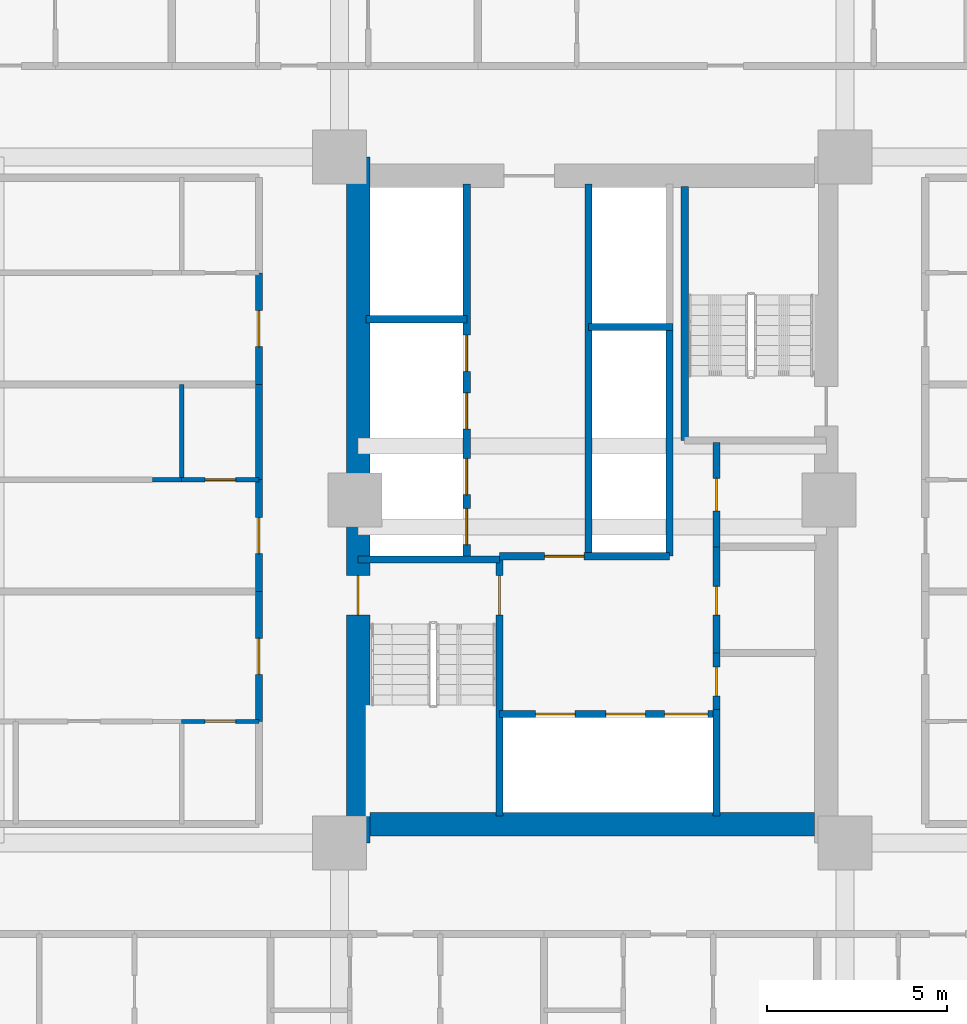
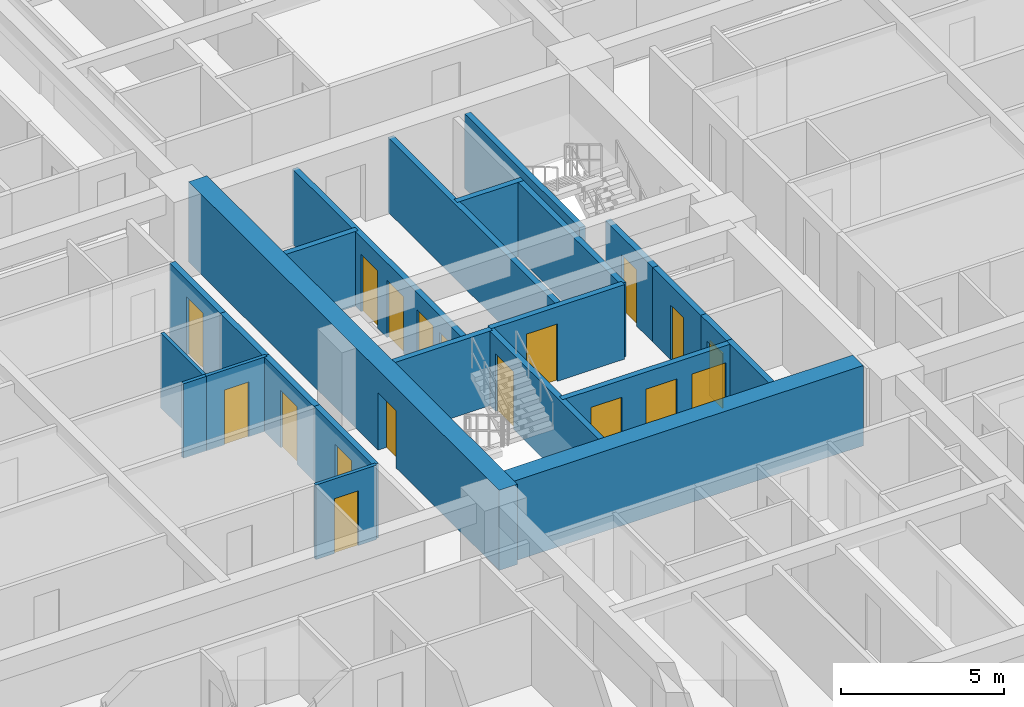
# One storey, part 16 of 28: 24 walls, 18 doors, 18 openings.
"""IFC4 building model written with IfcOpenShell, lengths in metres."""

import ifcopenshell
import ifcopenshell.guid

model = None  # the IFC model being written
_history = None  # IfcOwnerHistory: only IFC2X3 demands one
_inside = {}  # id of a spatial element -> (the spatial element, [elements in it])
_under = {}  # id of a project, library or spatial element -> (it, [spatial elements below it])
_declared = {}  # id of a project -> (the project, [libraries it declares])
_typed = {}  # id of a type object -> (the type object, [elements of that type])
_made_of = {}  # id of a material, layer set ... -> (it, [elements and type objects made of it])


def new_model(schema):
    """Start an empty IFC model of exactly this schema.

    Asked for "IFC4X3", IfcOpenShell would pick the latest addendum, in which some entities
    have other attributes; the version numbers below select the first issue.
    IFC2X3 requires an IfcOwnerHistory on every rooted entity: one is made here for all.
    """
    global model, _history
    if schema == "IFC4X3":
        model = ifcopenshell.file(schema_version=(4, 3, 0, 0))
    else:
        model = ifcopenshell.file(schema=schema)
    _inside.clear()
    _under.clear()
    _declared.clear()
    _typed.clear()
    _made_of.clear()
    _history = None
    if model.schema == "IFC2X3":
        org = make("IfcOrganization", Name="unknown")
        user = make(
            "IfcPersonAndOrganization",
            ThePerson=make("IfcPerson", FamilyName="unknown"),
            TheOrganization=org,
        )
        app = make(
            "IfcApplication",
            ApplicationDeveloper=org,
            Version="unknown",
            ApplicationFullName="unknown",
            ApplicationIdentifier="unknown",
        )
        _history = make(
            "IfcOwnerHistory",
            OwningUser=user,
            OwningApplication=app,
            ChangeAction="ADDED",
            CreationDate=0,
        )
    return model


def make(cls, **values):
    """One entity of the class cls with the attributes given. An attribute that is None is left unset."""
    return model.create_entity(
        cls, **{name: value for name, value in values.items() if value is not None}
    )


def rooted(cls, **values):
    """An entity with a GlobalId (a new one), such as an element, a storey or a relation."""
    return make(cls, GlobalId=ifcopenshell.guid.new(), OwnerHistory=_history, **values)


def si_unit(unit_type, name, prefix=None):
    """IfcSIUnit, for example si_unit("LENGTHUNIT", "METRE", prefix="MILLI")."""
    return make("IfcSIUnit", UnitType=unit_type, Prefix=prefix, Name=name)


def assignment(units):
    """IfcUnitAssignment: the units of a project."""
    return None if units is None else make("IfcUnitAssignment", Units=units)


def point(xyz):
    """IfcCartesianPoint."""
    return None if xyz is None else make("IfcCartesianPoint", Coordinates=xyz)


def direction(xyz):
    """IfcDirection."""
    return None if xyz is None else make("IfcDirection", DirectionRatios=xyz)


def frame(location, z_axis=None, x_axis=None):
    """IfcAxis2Placement3D, a coordinate frame: its origin and axes. An axis left out is left unset."""
    return make(
        "IfcAxis2Placement3D",
        Location=point(location),
        Axis=direction(z_axis),
        RefDirection=direction(x_axis),
    )


def frame_2d(location, x_axis=None):
    """IfcAxis2Placement2D, a coordinate frame in the plane: its origin and x axis."""
    return make(
        "IfcAxis2Placement2D", Location=point(location), RefDirection=direction(x_axis)
    )


def origin():
    """The frame at (0, 0, 0) with its axes left unset."""
    return frame((0.0, 0.0, 0.0))


def place(relative_to, where):
    """IfcLocalPlacement: puts the frame where relative to a parent placement (None: the world)."""
    return make(
        "IfcLocalPlacement", PlacementRelTo=relative_to, RelativePlacement=where
    )


def context(
    kind, dimensions, precision=None, world=None, true_north=None, identifier=None
):
    """IfcGeometricRepresentationContext, for example the 3D "Model" context."""
    return make(
        "IfcGeometricRepresentationContext",
        ContextIdentifier=identifier,
        ContextType=kind,
        CoordinateSpaceDimension=dimensions,
        Precision=precision,
        WorldCoordinateSystem=world,
        TrueNorth=true_north,
    )


def subcontext(parent, identifier, kind, view, scale=None):
    """IfcGeometricRepresentationSubContext, for example "Body" below "Model"."""
    return make(
        "IfcGeometricRepresentationSubContext",
        ContextIdentifier=identifier,
        ContextType=kind,
        ParentContext=parent,
        TargetScale=scale,
        TargetView=view,
    )


def project(units=None, contexts=None):
    """IfcProject with its units and contexts."""
    return rooted(
        "IfcProject",
        Name="project",
        RepresentationContexts=contexts,
        UnitsInContext=assignment(units),
    )


def spatial(cls, under=None, at=None, **own):
    """A site, building, storey or space (cls), placed at a placement, below another one or the project."""
    s = rooted(cls, ObjectPlacement=at, **own)
    if under is not None:
        _under.setdefault(under.id(), (under, []))[1].append(s)
    return s


def profile(cls, at=None, kind="AREA", **sizes):
    """A parametric profile (cls). Its sizes go by their IFC names, for example OverallWidth=200.0."""
    return make(cls, ProfileType=kind, Position=at, **sizes)


def rectangle(**sizes):
    """IfcRectangleProfileDef."""
    return profile("IfcRectangleProfileDef", **sizes)


def extrude(swept, where, along, depth):
    """IfcExtrudedAreaSolid: the profile swept, set in the frame where, extruded along a direction by depth."""
    return make(
        "IfcExtrudedAreaSolid",
        SweptArea=swept,
        Position=where,
        ExtrudedDirection=direction(along),
        Depth=depth,
    )


def shape(context_of_items, identifier, shape_type, items):
    """IfcShapeRepresentation: the items that make up one representation, for example the "Body"."""
    return make(
        "IfcShapeRepresentation",
        ContextOfItems=context_of_items,
        RepresentationIdentifier=identifier,
        RepresentationType=shape_type,
        Items=items,
    )


def source(mapping_origin, context_of_items, identifier, shape_type, items):
    """IfcRepresentationMap: a shape defined once, which mapped items show again and again."""
    return make(
        "IfcRepresentationMap",
        MappingOrigin=mapping_origin,
        MappedRepresentation=shape(context_of_items, identifier, shape_type, items),
    )


def transform(
    local_origin,
    x_axis=None,
    y_axis=None,
    z_axis=None,
    scale=None,
    scale2=None,
    scale3=None,
    uniform=True,
):
    """IfcCartesianTransformationOperator3D, or its non-uniform kind. x_axis, y_axis, z_axis: its Axis1, 2, 3."""
    if uniform:
        return make(
            "IfcCartesianTransformationOperator3D",
            Axis1=direction(x_axis),
            Axis2=direction(y_axis),
            LocalOrigin=point(local_origin),
            Scale=scale,
            Axis3=direction(z_axis),
        )
    return make(
        "IfcCartesianTransformationOperator3DnonUniform",
        Axis1=direction(x_axis),
        Axis2=direction(y_axis),
        LocalOrigin=point(local_origin),
        Scale=scale,
        Axis3=direction(z_axis),
        Scale2=scale2,
        Scale3=scale3,
    )


def mapped(mapping_source, mapping_target):
    """IfcMappedItem: shows the shape of a source again, moved by a transform."""
    return make(
        "IfcMappedItem", MappingSource=mapping_source, MappingTarget=mapping_target
    )


def material(Name=None, Category=None):
    """IfcMaterial."""
    return make("IfcMaterial", Name=Name, Category=Category)


def layer(
    of_material, thickness, ventilated=None, Name=None, Category=None, Priority=None
):
    """IfcMaterialLayer: one layer of a wall or slab, of a material (None: an air gap)."""
    return make(
        "IfcMaterialLayer",
        Material=of_material,
        LayerThickness=thickness,
        IsVentilated=ventilated,
        Name=Name,
        Category=Category,
        Priority=Priority,
    )


def layer_set(layers, Name=None):
    """IfcMaterialLayerSet."""
    return make("IfcMaterialLayerSet", MaterialLayers=layers, LayerSetName=Name)


def made_of(thing, what):
    """Note that an element or type object is made of a material, layer set ...; save() writes the relation."""
    if what is not None:
        _made_of.setdefault(what.id(), (what, []))[1].append(thing)
    return thing


def type_object(cls, material=None, **own):
    """A type object (cls), such as IfcWallType, which elements share."""
    return made_of(rooted(cls, **own), material)


def element(
    cls,
    number,
    at=None,
    inside=None,
    cuts=None,
    type_object=None,
    material=None,
    context=None,
    identifier="Body",
    shape_type=None,
    held_by="IfcProductDefinitionShape",
    body=None,
    shapes=None,
    **own,
):
    """One element of the class cls, such as IfcWall. Its Tag is "e" and its number.

    at: its placement. inside: the storey or other place that contains it. cuts: it is an
    opening in that element (IfcRelVoidsElement). A single representation is given by context,
    identifier, shape_type and body (its items); several are given by shapes. held_by: the class
    of the entity that holds the representations. save() writes the other relations.
    """
    e = rooted(cls, Tag="e%d" % number, ObjectPlacement=at, **own)
    if body is not None:
        shapes = [shape(context, identifier, shape_type, body)]
    if shapes is not None:
        e.Representation = make(held_by, Representations=shapes)
    if inside is not None:
        _inside.setdefault(inside.id(), (inside, []))[1].append(e)
    if cuts is not None:
        rooted(
            "IfcRelVoidsElement", RelatingBuildingElement=cuts, RelatedOpeningElement=e
        )
    if type_object is not None:
        _typed.setdefault(type_object.id(), (type_object, []))[1].append(e)
    return made_of(e, material)


def fill(opening, filler):
    """IfcRelFillsElement: the door or window that sits in an opening."""
    return rooted(
        "IfcRelFillsElement",
        RelatingOpeningElement=opening,
        RelatedBuildingElement=filler,
    )


def aggregate(whole, parts):
    """IfcRelAggregates: a whole, such as a stair, and the parts it consists of."""
    return rooted("IfcRelAggregates", RelatingObject=whole, RelatedObjects=parts)


def save(model, path):
    """Write the relations noted so far, then the file.

    IfcRelAggregates (storeys below a building ...), IfcRelContainedInSpatialStructure (elements
    in a storey), IfcRelDefinesByType, IfcRelAssociatesMaterial and IfcRelDeclares: one each for
    every whole, place, type object, material and project.
    """
    for whole, parts in _under.values():
        aggregate(whole, parts)
    for where, things in _inside.values():
        rooted(
            "IfcRelContainedInSpatialStructure",
            RelatedElements=things,
            RelatingStructure=where,
        )
    for kind, things in _typed.values():
        rooted("IfcRelDefinesByType", RelatedObjects=things, RelatingType=kind)
    for what, things in _made_of.values():
        rooted("IfcRelAssociatesMaterial", RelatedObjects=things, RelatingMaterial=what)
    for by, libraries in _declared.values():
        rooted("IfcRelDeclares", RelatingContext=by, RelatedDefinitions=libraries)
    model.write(path)


model = new_model("IFC4")

# Units and contexts
model_context = context("Model", 3, precision=1e-05, world=origin(), true_north=direction((0.0, 1.0)))
body_context = subcontext(model_context, "Body", "Model", "MODEL_VIEW")
ifc_project = project(units=[si_unit("LENGTHUNIT", "METRE"), si_unit("AREAUNIT", "SQUARE_METRE"), si_unit("VOLUMEUNIT", "CUBIC_METRE"), si_unit("PLANEANGLEUNIT", "RADIAN"), si_unit("MASSUNIT", "GRAM", prefix="KILO")], contexts=[model_context])

# Site, building, storey
site_placement = place(None, origin())
site = spatial("IfcSite", under=ifc_project, at=site_placement, CompositionType="ELEMENT")
building_placement = place(site_placement, origin())
building = spatial("IfcBuilding", under=site, at=building_placement, Name="Saelheon Loggia Tower", CompositionType="ELEMENT")
storey_placement = place(building_placement, frame((0.0, 0.0, 61.39990234375)))
storey = spatial("IfcBuildingStorey", under=building, at=storey_placement, Name="L19", CompositionType="ELEMENT", Elevation=61.39990234375)

# Wall, opening, door
ifc_material_1 = material(Name="Concrete C60/75", Category="concrete")
ifc_layer_1 = layer(ifc_material_1, 0.64990234375)
ifc_layer_set_1 = layer_set([ifc_layer_1], Name="Concrete C60/75")
wall_type_1 = type_object("IfcWallType", Name="Wall_CoreShear_650", PredefinedType="SHEAR", material=ifc_layer_set_1)
wall_1_placement = place(storey_placement, frame((31.5, 17.47998046875, 0.0), z_axis=(0.0, 0.0, 1.0), x_axis=(0.0, 1.0, 0.0)))
wall_1 = element("IfcWall", 1, at=wall_1_placement, inside=storey, type_object=wall_type_1, Name="L19 Core Shear Wall West", PredefinedType="SHEAR", context=body_context, shape_type="SweptSolid", body=[
    extrude(rectangle(XDim=19.0400390625, YDim=0.64990234375, at=frame_2d((9.52001953125, 0.0))), origin(), (0.0, 0.0, 1.0), 3.0),
])
opening_1_placement = place(wall_1_placement, frame((6.320068359375, 0.0, 0.0)))
opening_1 = element("IfcOpeningElement", 2, at=opening_1_placement, cuts=wall_1, Name="Opening D-FD2", PredefinedType="OPENING", context=body_context, shape_type="SweptSolid", body=[
    extrude(rectangle(XDim=1.10009765625, YDim=2.14990234375, at=frame_2d((0.550048828125, 1.074951171875))), frame((0.0, 0.3369140625, 0.0), z_axis=(0.0, -1.0, 0.0), x_axis=(1.0, 0.0, 0.0)), (0.0, 0.0, 1.0), 0.673828125),
])
ifc_material_2 = material(Name="Galvanised Steel Fire Door", Category="steel")
door_type_1 = type_object("IfcDoorType", Name="Door_Fire_FD60_1100", OperationType="NOTDEFINED", PredefinedType="DOOR", material=ifc_material_2)
shared_shape_1 = source(origin(), body_context, "Body", "SweptSolid", [
    extrude(rectangle(XDim=1.10009765625, YDim=2.14990234375, at=frame_2d((0.550048828125, 1.074951171875))), frame((0.0, 0.02490234375, 0.0), z_axis=(0.0, -1.0, 0.0), x_axis=(1.0, 0.0, 0.0)), (0.0, 0.0, 1.0), 0.050048828125),
])
door_1_placement = place(opening_1_placement, origin())
door_1 = element("IfcDoor", 3, at=door_1_placement, inside=storey, type_object=door_type_1, Name="L19 Stair ST1 Corridor Door", OperationType="SINGLE_SWING_LEFT", OverallHeight=2.14990234375, OverallWidth=1.10009765625, PredefinedType="DOOR", context=body_context, shape_type="MappedRepresentation", body=[
    mapped(shared_shape_1, transform((0.0, 0.0, 0.0), scale=1.0)),
])
fill(opening_1, door_1)

# Wall
wall_2_placement = place(storey_placement, frame((31.824951171875, 18.0, 0.0), z_axis=(0.0, 0.0, 1.0), x_axis=(1.0, 0.0, 0.0)))
element("IfcWall", 4, at=wall_2_placement, inside=storey, type_object=wall_type_1, Name="L19 Core Shear Wall South", PredefinedType="SHEAR", context=body_context, shape_type="SweptSolid", body=[
    extrude(rectangle(XDim=12.35009765625, YDim=0.64990234375, at=frame_2d((6.175048828125, 0.0))), origin(), (0.0, 0.0, 1.0), 3.0),
])

# Wall, opening, door
ifc_material_3 = material(Name="Double Acoustic Stud and Fireboard Partition", Category="gypsum")
ifc_layer_2 = layer(ifc_material_3, 0.199951171875)
ifc_layer_set_2 = layer_set([ifc_layer_2], Name="Double Acoustic Stud and Fireboard Partition")
wall_type_2 = type_object("IfcWallType", Name="Wall_Party_200", PredefinedType="PARTITIONING", material=ifc_layer_set_2)
wall_3_placement = place(storey_placement, frame((28.75, 20.85009765625, 0.0), z_axis=(0.0, 0.0, 1.0), x_axis=(0.0, 1.0, 0.0)))
wall_3 = element("IfcWall", 5, at=wall_3_placement, inside=storey, type_object=wall_type_2, Name="L19 W Partition V04", PredefinedType="PARTITIONING", context=body_context, shape_type="SweptSolid", body=[
    extrude(rectangle(XDim=3.61181640625, YDim=0.199951171875, at=frame_2d((1.805908203125, 0.0))), origin(), (0.0, 0.0, 1.0), 2.7900390625),
])
opening_2_placement = place(wall_3_placement, frame((1.305908203125, 0.0, 0.0)))
opening_2 = element("IfcOpeningElement", 6, at=opening_2_placement, cuts=wall_3, Name="Opening D-FD1", PredefinedType="OPENING", context=body_context, shape_type="SweptSolid", body=[
    extrude(rectangle(XDim=1.0, YDim=2.14990234375, at=frame_2d((0.5, 1.074951171875))), frame((0.0, 0.112060546875, 0.0), z_axis=(0.0, -1.0, 0.0), x_axis=(1.0, 0.0, 0.0)), (0.0, 0.0, 1.0), 0.223876953125),
])
ifc_material_4 = material(Name="Fire-Rated Engineered Timber Entrance Door", Category="wood")
door_type_2 = type_object("IfcDoorType", Name="Door_Flat_FD30S", OperationType="NOTDEFINED", PredefinedType="DOOR", material=ifc_material_4)
shared_shape_2 = source(origin(), body_context, "Body", "SweptSolid", [
    extrude(rectangle(XDim=1.0, YDim=2.14990234375, at=frame_2d((0.5, 1.074951171875))), frame((0.0, 0.02490234375, 0.0), z_axis=(0.0, -1.0, 0.0), x_axis=(1.0, 0.0, 0.0)), (0.0, 0.0, 1.0), 0.050048828125),
])
door_2_placement = place(opening_2_placement, origin())
door_2 = element("IfcDoor", 7, at=door_2_placement, inside=storey, type_object=door_type_2, Name="Unit U10 Entrance Door", OperationType="SINGLE_SWING_LEFT", OverallHeight=2.14990234375, OverallWidth=1.0, PredefinedType="DOOR", context=body_context, shape_type="MappedRepresentation", body=[
    mapped(shared_shape_2, transform((0.0, 0.0, 0.0), scale=1.0)),
])
fill(opening_2, door_2)

wall_4_placement = place(storey_placement, frame((28.75, 24.4619140625, 0.0), z_axis=(0.0, 0.0, 1.0), x_axis=(0.0, 1.0, 0.0)))
wall_4 = element("IfcWall", 8, at=wall_4_placement, inside=storey, type_object=wall_type_2, Name="L19 W Partition V12", PredefinedType="PARTITIONING", context=body_context, shape_type="SweptSolid", body=[
    extrude(rectangle(XDim=3.101806640625, YDim=0.199951171875, at=frame_2d((1.55078125, 0.0))), origin(), (0.0, 0.0, 1.0), 2.7900390625),
])
opening_3_placement = place(wall_4_placement, frame((1.05078125, 0.0, 0.0)))
opening_3 = element("IfcOpeningElement", 9, at=opening_3_placement, cuts=wall_4, Name="Opening D-FD1", PredefinedType="OPENING", context=body_context, shape_type="SweptSolid", body=[
    extrude(rectangle(XDim=1.0, YDim=2.14990234375, at=frame_2d((0.5, 1.074951171875))), frame((0.0, 0.112060546875, 0.0), z_axis=(0.0, -1.0, 0.0), x_axis=(1.0, 0.0, 0.0)), (0.0, 0.0, 1.0), 0.223876953125),
])
door_3_placement = place(opening_3_placement, origin())
door_3 = element("IfcDoor", 10, at=door_3_placement, inside=storey, type_object=door_type_2, Name="Unit U11 Entrance Door", OperationType="SINGLE_SWING_LEFT", OverallHeight=2.14990234375, OverallWidth=1.0, PredefinedType="DOOR", context=body_context, shape_type="MappedRepresentation", body=[
    mapped(shared_shape_2, transform((0.0, 0.0, 0.0), scale=1.0)),
])
fill(opening_3, door_3)

# Wall
wall_5_placement = place(storey_placement, frame((28.75, 27.563720703125, 0.0), z_axis=(0.0, 0.0, 1.0), x_axis=(0.0, 1.0, 0.0)))
element("IfcWall", 11, at=wall_5_placement, inside=storey, type_object=wall_type_2, Name="L19 W Partition V13", PredefinedType="PARTITIONING", context=body_context, shape_type="SweptSolid", body=[
    extrude(rectangle(XDim=2.642333984375, YDim=0.199951171875, at=frame_2d((1.3212890625, 0.0))), origin(), (0.0, 0.0, 1.0), 2.7900390625),
])

# Wall, opening, door
wall_6_placement = place(storey_placement, frame((28.75, 30.2060546875, 0.0), z_axis=(0.0, 0.0, 1.0), x_axis=(0.0, 1.0, 0.0)))
wall_6 = element("IfcWall", 12, at=wall_6_placement, inside=storey, type_object=wall_type_2, Name="L19 W Partition V19", PredefinedType="PARTITIONING", context=body_context, shape_type="SweptSolid", body=[
    extrude(rectangle(XDim=3.101806640625, YDim=0.199951171875, at=frame_2d((1.55078125, 0.0))), origin(), (0.0, 0.0, 1.0), 2.7900390625),
])
opening_4_placement = place(wall_6_placement, frame((1.05078125, 0.0, 0.0)))
opening_4 = element("IfcOpeningElement", 13, at=opening_4_placement, cuts=wall_6, Name="Opening D-FD1", PredefinedType="OPENING", context=body_context, shape_type="SweptSolid", body=[
    extrude(rectangle(XDim=1.0, YDim=2.14990234375, at=frame_2d((0.5, 1.074951171875))), frame((0.0, 0.112060546875, 0.0), z_axis=(0.0, -1.0, 0.0), x_axis=(1.0, 0.0, 0.0)), (0.0, 0.0, 1.0), 0.223876953125),
])
door_4_placement = place(opening_4_placement, origin())
door_4 = element("IfcDoor", 14, at=door_4_placement, inside=storey, type_object=door_type_2, Name="Unit U12 Entrance Door", OperationType="SINGLE_SWING_RIGHT", OverallHeight=2.14990234375, OverallWidth=1.0, PredefinedType="DOOR", context=body_context, shape_type="MappedRepresentation", body=[
    mapped(shared_shape_2, transform((0.0, 0.0, 0.0), scale=1.0)),
])
fill(opening_4, door_4)

# Wall
ifc_material_5 = material(Name="Concrete C40/50", Category="concrete")
ifc_layer_3 = layer(ifc_material_5, 0.199951171875)
ifc_layer_set_3 = layer_set([ifc_layer_3], Name="Concrete C40/50")
wall_type_3 = type_object("IfcWallType", Name="Wall_Shaft_200", PredefinedType="PARTITIONING", material=ifc_layer_set_3)
wall_7_placement = place(storey_placement, frame((41.449951171875, 18.219970703125, 0.0), z_axis=(0.0, 0.0, 1.0), x_axis=(0.0, 1.0, 0.0)))
element("IfcWall", 15, at=wall_7_placement, inside=storey, type_object=wall_type_3, Name="CW-INT-L19-BOH-W0", PredefinedType="PARTITIONING", context=body_context, shape_type="SweptSolid", body=[
    extrude(rectangle(XDim=2.9599609375, YDim=0.199951171875, at=frame_2d((1.47998046875, 0.0))), origin(), (0.0, 0.0, 1.0), 2.7900390625),
])

# Wall, opening, door
wall_8_placement = place(storey_placement, frame((41.449951171875, 21.179931640625, 0.0), z_axis=(0.0, 0.0, 1.0), x_axis=(0.0, 1.0, 0.0)))
wall_8 = element("IfcWall", 16, at=wall_8_placement, inside=storey, type_object=wall_type_3, Name="CW-INT-L19-BOH-W1", PredefinedType="PARTITIONING", context=body_context, shape_type="SweptSolid", body=[
    extrude(rectangle(XDim=1.570068359375, YDim=0.199951171875, at=frame_2d((0.78515625, 0.0))), origin(), (0.0, 0.0, 1.0), 2.7900390625),
])
opening_5_placement = place(wall_8_placement, frame((0.3798828125, 0.0, 0.0)))
opening_5 = element("IfcOpeningElement", 17, at=opening_5_placement, cuts=wall_8, Name="Opening D-ST1", PredefinedType="OPENING", context=body_context, shape_type="SweptSolid", body=[
    extrude(rectangle(XDim=0.800048828125, YDim=2.050048828125, at=frame_2d((0.39990234375, 1.02490234375))), frame((0.0, 0.112060546875, 0.0), z_axis=(0.0, -1.0, 0.0), x_axis=(1.0, 0.0, 0.0)), (0.0, 0.0, 1.0), 0.223876953125),
])
ifc_material_6 = material(Name="Powder-Coated Steel Store Door", Category="steel")
door_type_3 = type_object("IfcDoorType", Name="Door_Store_800", OperationType="NOTDEFINED", PredefinedType="DOOR", material=ifc_material_6)
shared_shape_3 = source(origin(), body_context, "Body", "SweptSolid", [
    extrude(rectangle(XDim=0.800048828125, YDim=2.050048828125, at=frame_2d((0.39990234375, 1.02490234375))), frame((0.0, 0.02490234375, 0.0), z_axis=(0.0, -1.0, 0.0), x_axis=(1.0, 0.0, 0.0)), (0.0, 0.0, 1.0), 0.050048828125),
])
door_5_placement = place(opening_5_placement, origin())
door_5 = element("IfcDoor", 18, at=door_5_placement, inside=storey, type_object=door_type_3, Name="L19 Cleaner Store Door", OperationType="SINGLE_SWING_RIGHT", OverallHeight=2.050048828125, OverallWidth=0.800048828125, PredefinedType="DOOR", context=body_context, shape_type="MappedRepresentation", body=[
    mapped(shared_shape_3, transform((0.0, 0.0, 0.0), scale=1.0)),
])
fill(opening_5, door_5)

wall_9_placement = place(storey_placement, frame((41.449951171875, 22.75, 0.0), z_axis=(0.0, 0.0, 1.0), x_axis=(0.0, 1.0, 0.0)))
wall_9 = element("IfcWall", 19, at=wall_9_placement, inside=storey, type_object=wall_type_3, Name="CW-INT-L19-BOH-W2", PredefinedType="PARTITIONING", context=body_context, shape_type="SweptSolid", body=[
    extrude(rectangle(XDim=2.949951171875, YDim=0.199951171875, at=frame_2d((1.47509765625, 0.0))), origin(), (0.0, 0.0, 1.0), 2.7900390625),
])
opening_6_placement = place(wall_9_placement, frame((1.050048828125, 0.0, 0.0)))
opening_6 = element("IfcOpeningElement", 20, at=opening_6_placement, cuts=wall_9, Name="Opening D-ST1", PredefinedType="OPENING", context=body_context, shape_type="SweptSolid", body=[
    extrude(rectangle(XDim=0.800048828125, YDim=2.050048828125, at=frame_2d((0.39990234375, 1.02490234375))), frame((0.0, 0.112060546875, 0.0), z_axis=(0.0, -1.0, 0.0), x_axis=(1.0, 0.0, 0.0)), (0.0, 0.0, 1.0), 0.223876953125),
])
door_6_placement = place(opening_6_placement, origin())
door_6 = element("IfcDoor", 21, at=door_6_placement, inside=storey, type_object=door_type_3, Name="L19 Electrical Riser Door", OperationType="SINGLE_SWING_LEFT", OverallHeight=2.050048828125, OverallWidth=0.800048828125, PredefinedType="DOOR", context=body_context, shape_type="MappedRepresentation", body=[
    mapped(shared_shape_3, transform((0.0, 0.0, 0.0), scale=1.0)),
])
fill(opening_6, door_6)

wall_10_placement = place(storey_placement, frame((41.449951171875, 25.699951171875, 0.0), z_axis=(0.0, 0.0, 1.0), x_axis=(0.0, 1.0, 0.0)))
wall_10 = element("IfcWall", 22, at=wall_10_placement, inside=storey, type_object=wall_type_3, Name="CW-INT-L19-BOH-W3", PredefinedType="PARTITIONING", context=body_context, shape_type="SweptSolid", body=[
    extrude(rectangle(XDim=2.900146484375, YDim=0.199951171875, at=frame_2d((1.4501953125, 0.0))), origin(), (0.0, 0.0, 1.0), 2.7900390625),
])
opening_7_placement = place(wall_10_placement, frame((1.0, 0.0, 0.0)))
opening_7 = element("IfcOpeningElement", 23, at=opening_7_placement, cuts=wall_10, Name="Opening D-RS1", PredefinedType="OPENING", context=body_context, shape_type="SweptSolid", body=[
    extrude(rectangle(XDim=0.89990234375, YDim=2.10009765625, at=frame_2d((0.449951171875, 1.050048828125))), frame((0.0, 0.112060546875, 0.0), z_axis=(0.0, -1.0, 0.0), x_axis=(1.0, 0.0, 0.0)), (0.0, 0.0, 1.0), 0.223876953125),
])
ifc_material_7 = material(Name="Galvanised Steel Riser Access Door", Category="steel")
door_type_4 = type_object("IfcDoorType", Name="Door_Riser_FD60", OperationType="NOTDEFINED", PredefinedType="DOOR", material=ifc_material_7)
shared_shape_4 = source(origin(), body_context, "Body", "SweptSolid", [
    extrude(rectangle(XDim=0.89990234375, YDim=2.10009765625, at=frame_2d((0.449951171875, 1.050048828125))), frame((0.0, 0.02490234375, 0.0), z_axis=(0.0, -1.0, 0.0), x_axis=(1.0, 0.0, 0.0)), (0.0, 0.0, 1.0), 0.050048828125),
])
door_7_placement = place(opening_7_placement, origin())
door_7 = element("IfcDoor", 24, at=door_7_placement, inside=storey, type_object=door_type_4, Name="L19 Floor IT Room Door", OperationType="SINGLE_SWING_RIGHT", OverallHeight=2.10009765625, OverallWidth=0.89990234375, PredefinedType="DOOR", context=body_context, shape_type="MappedRepresentation", body=[
    mapped(shared_shape_4, transform((0.0, 0.0, 0.0), scale=1.0)),
])
fill(opening_7, door_7)

# Wall
wall_11_placement = place(storey_placement, frame((40.14990234375, 25.43994140625, 0.0), z_axis=(0.0, 0.0, 1.0), x_axis=(0.0, 1.0, 0.0)))
element("IfcWall", 25, at=wall_11_placement, inside=storey, type_object=wall_type_3, Name="L19 Core Service Passage West Wall", PredefinedType="PARTITIONING", context=body_context, shape_type="SweptSolid", body=[
    extrude(rectangle(XDim=6.360107421875, YDim=0.199951171875, at=frame_2d((3.18017578125, 0.0))), origin(), (0.0, 0.0, 1.0), 2.7900390625),
])

# Wall, openings, doors
wall_12_placement = place(storey_placement, frame((35.429931640625, 21.06005859375, 0.0), z_axis=(0.0, 0.0, 1.0), x_axis=(1.0, 0.0, 0.0)))
wall_12 = element("IfcWall", 26, at=wall_12_placement, inside=storey, type_object=wall_type_3, Name="L19 Firefighting Lift Shaft Front Wall", PredefinedType="PARTITIONING", context=body_context, shape_type="SweptSolid", body=[
    extrude(rectangle(XDim=6.02001953125, YDim=0.199951171875, at=frame_2d((3.010009765625, 0.0))), origin(), (0.0, 0.0, 1.0), 2.7900390625),
])
opening_8_placement = place(wall_12_placement, frame((1.0, 0.0, 0.0)))
opening_8 = element("IfcOpeningElement", 27, at=opening_8_placement, cuts=wall_12, Name="Opening LD2", PredefinedType="OPENING", context=body_context, shape_type="SweptSolid", body=[
    extrude(rectangle(XDim=1.10009765625, YDim=2.14990234375, at=frame_2d((0.550048828125, 1.074951171875))), frame((0.0, 0.112060546875, 0.0), z_axis=(0.0, -1.0, 0.0), x_axis=(1.0, 0.0, 0.0)), (0.0, 0.0, 1.0), 0.223876953125),
])
opening_9_placement = place(wall_12_placement, frame((2.949951171875, 0.0, 0.0)))
opening_9 = element("IfcOpeningElement", 28, at=opening_9_placement, cuts=wall_12, Name="Opening LD2", PredefinedType="OPENING", context=body_context, shape_type="SweptSolid", body=[
    extrude(rectangle(XDim=1.10009765625, YDim=2.14990234375, at=frame_2d((0.550048828125, 1.074951171875))), frame((0.0, 0.112060546875, 0.0), z_axis=(0.0, -1.0, 0.0), x_axis=(1.0, 0.0, 0.0)), (0.0, 0.0, 1.0), 0.223876953125),
])
opening_10_placement = place(wall_12_placement, frame((4.580078125, 0.0, 0.0)))
opening_10 = element("IfcOpeningElement", 29, at=opening_10_placement, cuts=wall_12, Name="Opening LD3", PredefinedType="OPENING", context=body_context, shape_type="SweptSolid", body=[
    extrude(rectangle(XDim=1.199951171875, YDim=2.14990234375, at=frame_2d((0.60009765625, 1.074951171875))), frame((0.0, 0.112060546875, 0.0), z_axis=(0.0, -1.0, 0.0), x_axis=(1.0, 0.0, 0.0)), (0.0, 0.0, 1.0), 0.223876953125),
])
ifc_material_8 = material(Name="Firefighting Stainless Steel 316 Landing Door", Category="steel")
door_type_5 = type_object("IfcDoorType", Name="Door_Lift_LD2", OperationType="DOUBLE_DOOR_SLIDING", PredefinedType="DOOR", material=ifc_material_8)
door_8_placement = place(opening_8_placement, origin())
door_8 = element("IfcDoor", 30, at=door_8_placement, inside=storey, type_object=door_type_5, Name="L19 FF1 Landing Door", OperationType="DOUBLE_DOOR_SLIDING", OverallHeight=2.14990234375, OverallWidth=1.10009765625, PredefinedType="DOOR", context=body_context, shape_type="MappedRepresentation", body=[
    mapped(shared_shape_1, transform((0.0, 0.0, 0.0), scale=1.0)),
])
fill(opening_8, door_8)
door_9_placement = place(opening_9_placement, origin())
door_9 = element("IfcDoor", 31, at=door_9_placement, inside=storey, type_object=door_type_5, Name="L19 FF2 Landing Door", OperationType="DOUBLE_DOOR_SLIDING", OverallHeight=2.14990234375, OverallWidth=1.10009765625, PredefinedType="DOOR", context=body_context, shape_type="MappedRepresentation", body=[
    mapped(shared_shape_1, transform((0.0, 0.0, 0.0), scale=1.0)),
])
fill(opening_9, door_9)
ifc_material_9 = material(Name="Stretcher Lift Stainless Steel 304 Landing Door", Category="steel")
door_type_6 = type_object("IfcDoorType", Name="Door_Lift_LD3", OperationType="DOUBLE_DOOR_SLIDING", PredefinedType="DOOR", material=ifc_material_9)
shared_shape_5 = source(origin(), body_context, "Body", "SweptSolid", [
    extrude(rectangle(XDim=1.199951171875, YDim=2.14990234375, at=frame_2d((0.60009765625, 1.074951171875))), frame((0.0, 0.02490234375, 0.0), z_axis=(0.0, -1.0, 0.0), x_axis=(1.0, 0.0, 0.0)), (0.0, 0.0, 1.0), 0.050048828125),
])
door_10_placement = place(opening_10_placement, origin())
door_10 = element("IfcDoor", 32, at=door_10_placement, inside=storey, type_object=door_type_6, Name="L19 SV1 Landing Door", OperationType="DOUBLE_DOOR_SLIDING", OverallHeight=2.14990234375, OverallWidth=1.199951171875, PredefinedType="DOOR", context=body_context, shape_type="MappedRepresentation", body=[
    mapped(shared_shape_5, transform((0.0, 0.0, 0.0), scale=1.0)),
])
fill(opening_10, door_10)

# Wall, opening, door
wall_13_placement = place(storey_placement, frame((35.429931640625, 25.43994140625, 0.0), z_axis=(0.0, 0.0, 1.0), x_axis=(1.0, 0.0, 0.0)))
wall_13 = element("IfcWall", 33, at=wall_13_placement, inside=storey, type_object=wall_type_3, Name="L19 Firefighting Lobby Compartment Wall", PredefinedType="PARTITIONING", context=body_context, shape_type="SweptSolid", body=[
    extrude(rectangle(XDim=4.719970703125, YDim=0.199951171875, at=frame_2d((2.35986328125, 0.0))), origin(), (0.0, 0.0, 1.0), 2.7900390625),
])
opening_11_placement = place(wall_13_placement, frame((1.25, 0.0, 0.0)))
opening_11 = element("IfcOpeningElement", 34, at=opening_11_placement, cuts=wall_13, Name="Opening D-FD2", PredefinedType="OPENING", context=body_context, shape_type="SweptSolid", body=[
    extrude(rectangle(XDim=1.10009765625, YDim=2.14990234375, at=frame_2d((0.550048828125, 1.074951171875))), frame((0.0, 0.112060546875, 0.0), z_axis=(0.0, -1.0, 0.0), x_axis=(1.0, 0.0, 0.0)), (0.0, 0.0, 1.0), 0.223876953125),
])
door_11_placement = place(opening_11_placement, origin())
door_11 = element("IfcDoor", 35, at=door_11_placement, inside=storey, type_object=door_type_1, Name="L19 Firefighting Lobby Door", OperationType="SINGLE_SWING_LEFT", OverallHeight=2.14990234375, OverallWidth=1.10009765625, PredefinedType="DOOR", context=body_context, shape_type="MappedRepresentation", body=[
    mapped(shared_shape_1, transform((0.0, 0.0, 0.0), scale=1.0)),
])
fill(opening_11, door_11)

# Wall, openings, doors
wall_14_placement = place(storey_placement, frame((34.52001953125, 25.43994140625, 0.0), z_axis=(0.0, 0.0, 1.0), x_axis=(0.0, 1.0, 0.0)))
wall_14 = element("IfcWall", 36, at=wall_14_placement, inside=storey, type_object=wall_type_3, Name="L19 West Passenger Lift Bank Wall", PredefinedType="PARTITIONING", context=body_context, shape_type="SweptSolid", body=[
    extrude(rectangle(XDim=10.340087890625, YDim=0.199951171875, at=frame_2d((5.169921875, 0.0))), origin(), (0.0, 0.0, 1.0), 2.7900390625),
])
opening_12_placement = place(wall_14_placement, frame((0.320068359375, 0.0, 0.0)))
opening_12 = element("IfcOpeningElement", 37, at=opening_12_placement, cuts=wall_14, Name="Opening LD1", PredefinedType="OPENING", context=body_context, shape_type="SweptSolid", body=[
    extrude(rectangle(XDim=1.0, YDim=2.14990234375, at=frame_2d((0.5, 1.074951171875))), frame((0.0, 0.112060546875, 0.0), z_axis=(0.0, -1.0, 0.0), x_axis=(1.0, 0.0, 0.0)), (0.0, 0.0, 1.0), 0.223876953125),
])
opening_13_placement = place(wall_14_placement, frame((1.7099609375, 0.0, 0.0)))
opening_13 = element("IfcOpeningElement", 38, at=opening_13_placement, cuts=wall_14, Name="Opening LD1", PredefinedType="OPENING", context=body_context, shape_type="SweptSolid", body=[
    extrude(rectangle(XDim=1.0, YDim=2.14990234375, at=frame_2d((0.5, 1.074951171875))), frame((0.0, 0.112060546875, 0.0), z_axis=(0.0, -1.0, 0.0), x_axis=(1.0, 0.0, 0.0)), (0.0, 0.0, 1.0), 0.223876953125),
])
opening_14_placement = place(wall_14_placement, frame((3.534912109375, 0.0, 0.0)))
opening_14 = element("IfcOpeningElement", 39, at=opening_14_placement, cuts=wall_14, Name="Opening LD1", PredefinedType="OPENING", context=body_context, shape_type="SweptSolid", body=[
    extrude(rectangle(XDim=1.0, YDim=2.14990234375, at=frame_2d((0.5, 1.074951171875))), frame((0.0, 0.112060546875, 0.0), z_axis=(0.0, -1.0, 0.0), x_axis=(1.0, 0.0, 0.0)), (0.0, 0.0, 1.0), 0.223876953125),
])
opening_15_placement = place(wall_14_placement, frame((5.135009765625, 0.0, 0.0)))
opening_15 = element("IfcOpeningElement", 40, at=opening_15_placement, cuts=wall_14, Name="Opening LD1", PredefinedType="OPENING", context=body_context, shape_type="SweptSolid", body=[
    extrude(rectangle(XDim=1.0, YDim=2.14990234375, at=frame_2d((0.5, 1.074951171875))), frame((0.0, 0.112060546875, 0.0), z_axis=(0.0, -1.0, 0.0), x_axis=(1.0, 0.0, 0.0)), (0.0, 0.0, 1.0), 0.223876953125),
])
ifc_material_10 = material(Name="Brushed Stainless Steel 304 Landing Door", Category="steel")
door_type_7 = type_object("IfcDoorType", Name="Door_Lift_LD1", OperationType="DOUBLE_DOOR_SLIDING", PredefinedType="DOOR", material=ifc_material_10)
door_12_placement = place(opening_12_placement, origin())
door_12 = element("IfcDoor", 41, at=door_12_placement, inside=storey, type_object=door_type_7, Name="L19 PL1 Landing Door", OperationType="DOUBLE_DOOR_SLIDING", OverallHeight=2.14990234375, OverallWidth=1.0, PredefinedType="DOOR", context=body_context, shape_type="MappedRepresentation", body=[
    mapped(shared_shape_2, transform((0.0, 0.0, 0.0), scale=1.0)),
])
fill(opening_12, door_12)
door_13_placement = place(opening_13_placement, origin())
door_13 = element("IfcDoor", 42, at=door_13_placement, inside=storey, type_object=door_type_7, Name="L19 PL2 Landing Door", OperationType="DOUBLE_DOOR_SLIDING", OverallHeight=2.14990234375, OverallWidth=1.0, PredefinedType="DOOR", context=body_context, shape_type="MappedRepresentation", body=[
    mapped(shared_shape_2, transform((0.0, 0.0, 0.0), scale=1.0)),
])
fill(opening_13, door_13)
door_14_placement = place(opening_14_placement, origin())
door_14 = element("IfcDoor", 43, at=door_14_placement, inside=storey, type_object=door_type_7, Name="L19 PL3 Landing Door", OperationType="DOUBLE_DOOR_SLIDING", OverallHeight=2.14990234375, OverallWidth=1.0, PredefinedType="DOOR", context=body_context, shape_type="MappedRepresentation", body=[
    mapped(shared_shape_2, transform((0.0, 0.0, 0.0), scale=1.0)),
])
fill(opening_14, door_14)
door_15_placement = place(opening_15_placement, origin())
door_15 = element("IfcDoor", 44, at=door_15_placement, inside=storey, type_object=door_type_7, Name="L19 PL4 Landing Door", OperationType="DOUBLE_DOOR_SLIDING", OverallHeight=2.14990234375, OverallWidth=1.0, PredefinedType="DOOR", context=body_context, shape_type="MappedRepresentation", body=[
    mapped(shared_shape_2, transform((0.0, 0.0, 0.0), scale=1.0)),
])
fill(opening_15, door_15)

# Walls
wall_15_placement = place(storey_placement, frame((31.719970703125, 32.02001953125, 0.0), z_axis=(0.0, 0.0, 1.0), x_axis=(1.0, 0.0, 0.0)))
element("IfcWall", 45, at=wall_15_placement, inside=storey, type_object=wall_type_3, Name="L19 West High-Rise Shaft Divider", PredefinedType="PARTITIONING", context=body_context, shape_type="SweptSolid", body=[
    extrude(rectangle(XDim=2.800048828125, YDim=0.199951171875, at=frame_2d((1.39990234375, 0.0))), origin(), (0.0, 0.0, 1.0), 2.7900390625),
])
wall_16_placement = place(storey_placement, frame((37.89990234375, 25.43994140625, 0.0), z_axis=(0.0, 0.0, 1.0), x_axis=(0.0, 1.0, 0.0)))
element("IfcWall", 46, at=wall_16_placement, inside=storey, type_object=wall_type_3, Name="L19 East Passenger Lift Bank Wall", PredefinedType="PARTITIONING", context=body_context, shape_type="SweptSolid", body=[
    extrude(rectangle(XDim=10.340087890625, YDim=0.199951171875, at=frame_2d((5.169921875, 0.0))), origin(), (0.0, 0.0, 1.0), 2.7900390625),
])
wall_17_placement = place(storey_placement, frame((37.89990234375, 31.800048828125, 0.0), z_axis=(0.0, 0.0, 1.0), x_axis=(1.0, 0.0, 0.0)))
element("IfcWall", 47, at=wall_17_placement, inside=storey, type_object=wall_type_3, Name="L19 East High-Rise Shaft Divider", PredefinedType="PARTITIONING", context=body_context, shape_type="SweptSolid", body=[
    extrude(rectangle(XDim=2.35009765625, YDim=0.199951171875, at=frame_2d((1.175048828125, 0.0))), origin(), (0.0, 0.0, 1.0), 2.7900390625),
])

# Wall, opening, door
ifc_material_11 = material(Name="Concrete C45/55", Category="concrete")
ifc_layer_4 = layer(ifc_material_11, 0.199951171875)
ifc_layer_set_4 = layer_set([ifc_layer_4], Name="Concrete C45/55")
wall_type_4 = type_object("IfcWallType", Name="Wall_StairShaft_RC200", PredefinedType="SOLIDWALL", material=ifc_layer_set_4)
wall_18_placement = place(storey_placement, frame((35.429931640625, 18.219970703125, 0.0), z_axis=(0.0, 0.0, 1.0), x_axis=(0.0, 1.0, 0.0)))
wall_18 = element("IfcWall", 48, at=wall_18_placement, inside=storey, type_object=wall_type_4, Name="L19 Stair ST1 Shaft Wall", PredefinedType="SOLIDWALL", context=body_context, shape_type="SweptSolid", body=[
    extrude(rectangle(XDim=7.219970703125, YDim=0.199951171875, at=frame_2d((3.60986328125, 0.0))), origin(), (0.0, 0.0, 1.0), 2.7900390625),
])
opening_16_placement = place(wall_18_placement, frame((6.68017578125, 0.0, 0.0), z_axis=(0.0, 0.0, 1.0), x_axis=(-1.0, 0.0, 0.0)))
opening_16 = element("IfcOpeningElement", 49, at=opening_16_placement, cuts=wall_18, Name="Opening D-FD2", PredefinedType="OPENING", context=body_context, shape_type="SweptSolid", body=[
    extrude(rectangle(XDim=1.10009765625, YDim=2.14990234375, at=frame_2d((0.550048828125, 1.074951171875))), frame((0.0, 0.112060546875, 0.0), z_axis=(0.0, -1.0, 0.0), x_axis=(1.0, 0.0, 0.0)), (0.0, 0.0, 1.0), 0.223876953125),
])
door_16_placement = place(opening_16_placement, origin())
door_16 = element("IfcDoor", 50, at=door_16_placement, inside=storey, type_object=door_type_1, Name="L19 Stair ST1 Lobby Door", OperationType="SINGLE_SWING_RIGHT", OverallHeight=2.14990234375, OverallWidth=1.10009765625, PredefinedType="DOOR", context=body_context, shape_type="MappedRepresentation", body=[
    mapped(shared_shape_1, transform((0.0, 0.0, 0.0), scale=1.0)),
])
fill(opening_16, door_16)

# Walls
wall_19_placement = place(storey_placement, frame((31.5, 25.35009765625, 0.0), z_axis=(0.0, 0.0, 1.0), x_axis=(1.0, 0.0, 0.0)))
element("IfcWall", 51, at=wall_19_placement, inside=storey, type_object=wall_type_4, Name="L19 Stair ST1 North Wall", PredefinedType="SOLIDWALL", context=body_context, shape_type="SweptSolid", body=[
    extrude(rectangle(XDim=3.929931640625, YDim=0.199951171875, at=frame_2d((1.96484375, 0.0))), origin(), (0.0, 0.0, 1.0), 2.7900390625),
])
wall_20_placement = place(storey_placement, frame((40.570068359375, 28.64990234375, 0.0), z_axis=(0.0, 0.0, 1.0), x_axis=(0.0, 1.0, 0.0)))
element("IfcWall", 52, at=wall_20_placement, inside=storey, type_object=wall_type_4, Name="L19 Stair ST2 Shaft Wall", PredefinedType="SOLIDWALL", context=body_context, shape_type="SweptSolid", body=[
    extrude(rectangle(XDim=7.050048828125, YDim=0.199951171875, at=frame_2d((3.52490234375, 0.0))), origin(), (0.0, 0.0, 1.0), 2.7900390625),
])

# Wall, opening, door
ifc_material_12 = material(Name="Moisture-Resistant Cement Board Partition", Category="gypsum")
ifc_layer_5 = layer(ifc_material_12, 0.1201171875)
ifc_layer_set_5 = layer_set([ifc_layer_5], Name="Moisture-Resistant Cement Board Partition")
wall_type_5 = type_object("IfcWallType", Name="Wall_WetPart_120", PredefinedType="PARTITIONING", material=ifc_layer_set_5)
wall_21_placement = place(storey_placement, frame((28.75, 20.85009765625, 0.0), z_axis=(0.0, 0.0, 1.0), x_axis=(-1.0, 0.0, 0.0)))
wall_21 = element("IfcWall", 53, at=wall_21_placement, inside=storey, type_object=wall_type_5, Name="L19 W Partition U05", PredefinedType="PARTITIONING", context=body_context, shape_type="SweptSolid", body=[
    extrude(rectangle(XDim=2.14990234375, YDim=0.1201171875, at=frame_2d((1.074951171875, 0.0))), origin(), (0.0, 0.0, 1.0), 2.7900390625),
])
opening_17_placement = place(wall_21_placement, frame((0.64990234375, 0.0, 0.0)))
opening_17 = element("IfcOpeningElement", 54, at=opening_17_placement, cuts=wall_21, Name="Opening D-BT1", PredefinedType="OPENING", context=body_context, shape_type="SweptSolid", body=[
    extrude(rectangle(XDim=0.85009765625, YDim=2.050048828125, at=frame_2d((0.425048828125, 1.02490234375))), frame((0.0, 0.072021484375, 0.0), z_axis=(0.0, -1.0, 0.0), x_axis=(1.0, 0.0, 0.0)), (0.0, 0.0, 1.0), 0.14404296875),
])
ifc_material_13 = material(Name="Moisture-Resistant Laminate Timber Door", Category="wood")
door_type_8 = type_object("IfcDoorType", Name="Door_Bath_850", OperationType="NOTDEFINED", PredefinedType="DOOR", material=ifc_material_13)
shared_shape_6 = source(origin(), body_context, "Body", "SweptSolid", [
    extrude(rectangle(XDim=0.85009765625, YDim=2.050048828125, at=frame_2d((0.425048828125, 1.02490234375))), frame((0.0, 0.02490234375, 0.0), z_axis=(0.0, -1.0, 0.0), x_axis=(1.0, 0.0, 0.0)), (0.0, 0.0, 1.0), 0.050048828125),
])
door_17_placement = place(opening_17_placement, origin())
door_17 = element("IfcDoor", 55, at=door_17_placement, inside=storey, type_object=door_type_8, Name="Unit U10 Bathroom Door", OperationType="SINGLE_SWING_RIGHT", OverallHeight=2.050048828125, OverallWidth=0.85009765625, PredefinedType="DOOR", context=body_context, shape_type="MappedRepresentation", body=[
    mapped(shared_shape_6, transform((0.0, 0.0, 0.0), scale=1.0)),
])
fill(opening_17, door_17)

wall_22_placement = place(storey_placement, frame((28.75, 27.563720703125, 0.0), z_axis=(0.0, 0.0, 1.0), x_axis=(-1.0, 0.0, 0.0)))
wall_22 = element("IfcWall", 56, at=wall_22_placement, inside=storey, type_object=wall_type_5, Name="L19 W Partition U14", PredefinedType="PARTITIONING", context=body_context, shape_type="SweptSolid", body=[
    extrude(rectangle(XDim=2.14990234375, YDim=0.1201171875, at=frame_2d((1.074951171875, 0.0))), origin(), (0.0, 0.0, 1.0), 2.7900390625),
])
opening_18_placement = place(wall_22_placement, frame((0.64990234375, 0.0, 0.0)))
opening_18 = element("IfcOpeningElement", 57, at=opening_18_placement, cuts=wall_22, Name="Opening D-BT1", PredefinedType="OPENING", context=body_context, shape_type="SweptSolid", body=[
    extrude(rectangle(XDim=0.85009765625, YDim=2.050048828125, at=frame_2d((0.425048828125, 1.02490234375))), frame((0.0, 0.072021484375, 0.0), z_axis=(0.0, -1.0, 0.0), x_axis=(1.0, 0.0, 0.0)), (0.0, 0.0, 1.0), 0.14404296875),
])
door_18_placement = place(opening_18_placement, origin())
door_18 = element("IfcDoor", 58, at=door_18_placement, inside=storey, type_object=door_type_8, Name="Unit U11 Bathroom Door", OperationType="SINGLE_SWING_RIGHT", OverallHeight=2.050048828125, OverallWidth=0.85009765625, PredefinedType="DOOR", context=body_context, shape_type="MappedRepresentation", body=[
    mapped(shared_shape_6, transform((0.0, 0.0, 0.0), scale=1.0)),
])
fill(opening_18, door_18)

# Walls
wall_23_placement = place(storey_placement, frame((26.60009765625, 27.563720703125, 0.0), z_axis=(0.0, 0.0, 1.0), x_axis=(-1.0, 0.0, 0.0)))
element("IfcWall", 59, at=wall_23_placement, inside=storey, type_object=wall_type_5, Name="L19 W Partition U15", PredefinedType="PARTITIONING", context=body_context, shape_type="SweptSolid", body=[
    extrude(rectangle(XDim=0.81005859375, YDim=0.1201171875, at=frame_2d((0.405029296875, 0.0))), origin(), (0.0, 0.0, 1.0), 2.7900390625),
])
wall_24_placement = place(storey_placement, frame((26.60009765625, 27.563720703125, 0.0), z_axis=(0.0, 0.0, 1.0), x_axis=(0.0, 1.0, 0.0)))
element("IfcWall", 60, at=wall_24_placement, inside=storey, type_object=wall_type_5, Name="L19 W Partition V16", PredefinedType="PARTITIONING", context=body_context, shape_type="SweptSolid", body=[
    extrude(rectangle(XDim=2.642333984375, YDim=0.1201171875, at=frame_2d((1.3212890625, 0.0))), origin(), (0.0, 0.0, 1.0), 2.7900390625),
])

save(model, "model.ifc")
